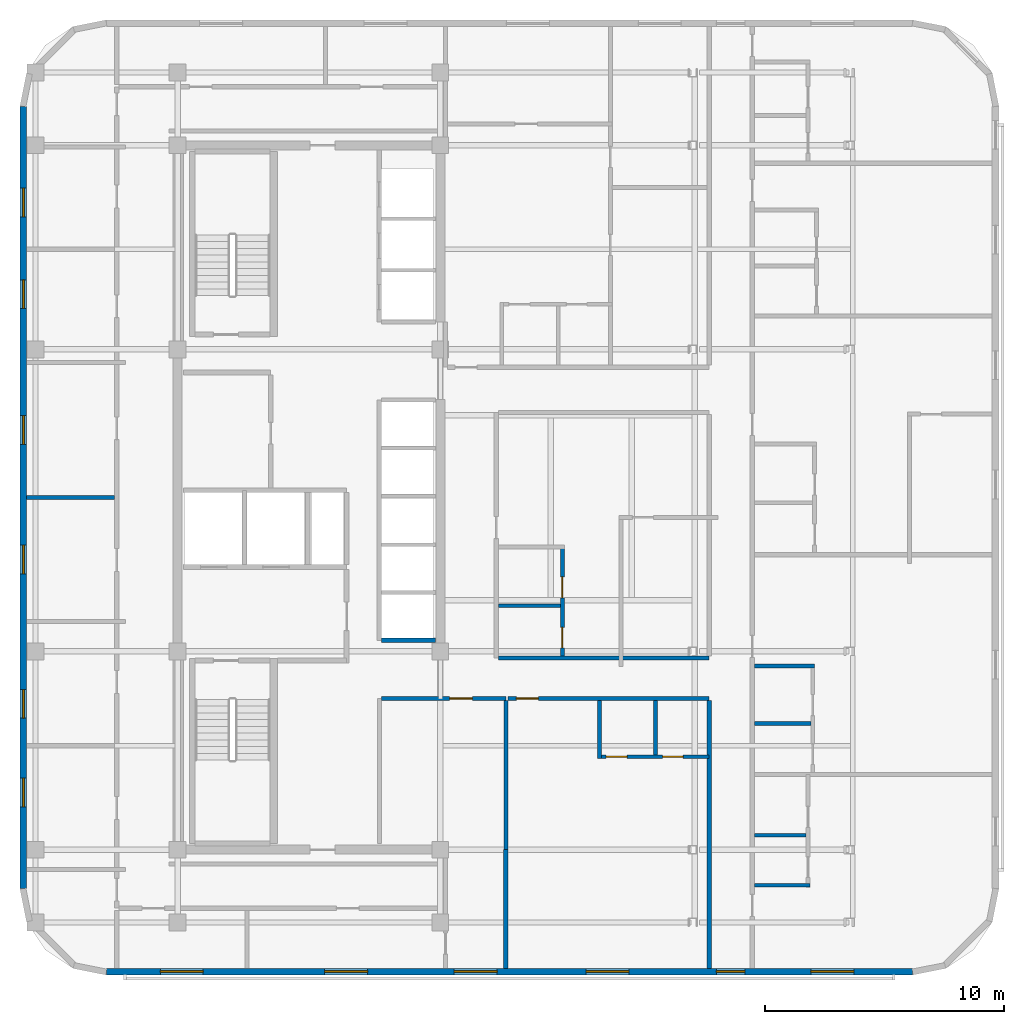
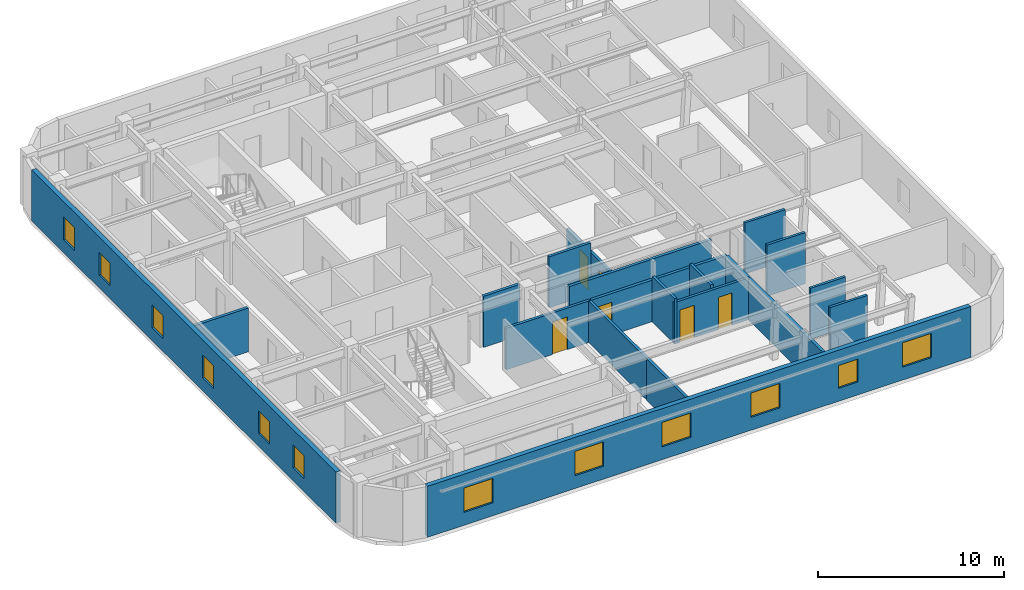
# One storey, part 3 of 10: 19 walls, 12 windows, 6 doors, 18 openings.
"""IFC4 building model written with IfcOpenShell, lengths in metres."""

from ifc_helpers import new_model, si_unit, direction, frame, frame_2d, origin, place, context, subcontext, project, spatial, rectangle, extrude, material, layer, layer_set, type_object, element, fill, save


model = new_model("IFC4")

# Units and contexts
model_context = context("Model", 3, precision=1e-05, world=origin(), true_north=direction((0.0, 1.0)))
body_context = subcontext(model_context, "Body", "Model", "MODEL_VIEW")
ifc_project = project(units=[si_unit("LENGTHUNIT", "METRE"), si_unit("AREAUNIT", "SQUARE_METRE"), si_unit("VOLUMEUNIT", "CUBIC_METRE"), si_unit("PLANEANGLEUNIT", "RADIAN"), si_unit("MASSUNIT", "GRAM", prefix="KILO")], contexts=[model_context])

# Site, building, storey
site_placement = place(None, origin())
site = spatial("IfcSite", under=ifc_project, at=site_placement, CompositionType="ELEMENT")
building_placement = place(site_placement, origin())
building = spatial("IfcBuilding", under=site, at=building_placement, Name="Ochreholt Gables", CompositionType="ELEMENT")
storey_placement = place(building_placement, frame((0.0, 0.0, 166.199951171875)))
storey = spatial("IfcBuildingStorey", under=building, at=storey_placement, Name="L43", CompositionType="ELEMENT", Elevation=166.199951171875)

# Wall, openings, windows
ifc_material_1 = material(Name="Precast concrete 40 MPa", Category="concrete")
ifc_layer_1 = layer(ifc_material_1, 0.280029296875, Name="Precast concrete 40 MPa")
ifc_layer_set_1 = layer_set([ifc_layer_1], Name="Precast concrete 40 MPa")
wall_type_1 = type_object("IfcWallType", Name="WALL-EXT-280", PredefinedType="SOLIDWALL", material=ifc_layer_set_1)
wall_1_placement = place(storey_placement, frame((21.219970703125, 4.139892578125, 0.0), z_axis=(0.0, 0.0, 1.0), x_axis=(1.0, 0.0, 0.0)))
wall_1 = element("IfcWall", 1, at=wall_1_placement, inside=storey, type_object=wall_type_1, Name="L43 South Exterior Wall", PredefinedType="SOLIDWALL", context=body_context, shape_type="SweptSolid", body=[
    extrude(rectangle(XDim=33.760009765625, YDim=0.280029296875, at=frame_2d((16.8798828125, 0.0))), origin(), (0.0, 0.0, 1.0), 3.360107421875),
])
opening_1_placement = place(wall_1_placement, frame((2.2548828125, 0.0, 0.85009765625)))
opening_1 = element("IfcOpeningElement", 2, at=opening_1_placement, cuts=wall_1, Name="Opening WN-1", PredefinedType="OPENING", context=body_context, shape_type="SweptSolid", body=[
    extrude(rectangle(XDim=1.800048828125, YDim=1.60009765625, at=frame_2d((0.89990234375, 0.800048828125))), frame((0.0, 0.14990234375, 0.0), z_axis=(0.0, -1.0, 0.0), x_axis=(1.0, 0.0, 0.0)), (0.0, 0.0, 1.0), 0.300048828125),
])
opening_2_placement = place(wall_1_placement, frame((9.139892578125, 0.0, 0.85009765625)))
opening_2 = element("IfcOpeningElement", 3, at=opening_2_placement, cuts=wall_1, Name="Opening WN-1", PredefinedType="OPENING", context=body_context, shape_type="SweptSolid", body=[
    extrude(rectangle(XDim=1.800048828125, YDim=1.60009765625, at=frame_2d((0.89990234375, 0.800048828125))), frame((0.0, 0.14990234375, 0.0), z_axis=(0.0, -1.0, 0.0), x_axis=(1.0, 0.0, 0.0)), (0.0, 0.0, 1.0), 0.300048828125),
])
opening_3_placement = place(wall_1_placement, frame((14.56494140625, 0.0, 0.85009765625)))
opening_3 = element("IfcOpeningElement", 4, at=opening_3_placement, cuts=wall_1, Name="Opening WN-1", PredefinedType="OPENING", context=body_context, shape_type="SweptSolid", body=[
    extrude(rectangle(XDim=1.800048828125, YDim=1.60009765625, at=frame_2d((0.89990234375, 0.800048828125))), frame((0.0, 0.14990234375, 0.0), z_axis=(0.0, -1.0, 0.0), x_axis=(1.0, 0.0, 0.0)), (0.0, 0.0, 1.0), 0.300048828125),
])
opening_4_placement = place(wall_1_placement, frame((20.087890625, 0.0, 0.85009765625)))
opening_4 = element("IfcOpeningElement", 5, at=opening_4_placement, cuts=wall_1, Name="Opening WN-1", PredefinedType="OPENING", context=body_context, shape_type="SweptSolid", body=[
    extrude(rectangle(XDim=1.800048828125, YDim=1.60009765625, at=frame_2d((0.89990234375, 0.800048828125))), frame((0.0, 0.14990234375, 0.0), z_axis=(0.0, -1.0, 0.0), x_axis=(1.0, 0.0, 0.0)), (0.0, 0.0, 1.0), 0.300048828125),
])
opening_5_placement = place(wall_1_placement, frame((25.5458984375, 0.0, 0.85009765625)))
opening_5 = element("IfcOpeningElement", 6, at=opening_5_placement, cuts=wall_1, Name="Opening WN-3", PredefinedType="OPENING", context=body_context, shape_type="SweptSolid", body=[
    extrude(rectangle(XDim=1.199951171875, YDim=1.5, at=frame_2d((0.60009765625, 0.75))), frame((0.0, 0.14990234375, 0.0), z_axis=(0.0, -1.0, 0.0), x_axis=(1.0, 0.0, 0.0)), (0.0, 0.0, 1.0), 0.300048828125),
])
opening_6_placement = place(wall_1_placement, frame((29.5029296875, 0.0, 0.85009765625)))
opening_6 = element("IfcOpeningElement", 7, at=opening_6_placement, cuts=wall_1, Name="Opening WN-1", PredefinedType="OPENING", context=body_context, shape_type="SweptSolid", body=[
    extrude(rectangle(XDim=1.800048828125, YDim=1.60009765625, at=frame_2d((0.89990234375, 0.800048828125))), frame((0.0, 0.14990234375, 0.0), z_axis=(0.0, -1.0, 0.0), x_axis=(1.0, 0.0, 0.0)), (0.0, 0.0, 1.0), 0.300048828125),
])
ifc_material_2 = material(Name="Triple-Glazed Thermally Broken Aluminium Window", Category="aluminium")
window_type_1 = type_object("IfcWindowType", Name="WIN-RES-1200", PartitioningType="SINGLE_PANEL", PredefinedType="WINDOW", material=ifc_material_2)
window_1_placement = place(opening_5_placement, origin())
window_1 = element("IfcWindow", 8, at=window_1_placement, inside=storey, type_object=window_type_1, Name="L43 Window W-EXT-S-L43-5", OverallHeight=1.5, OverallWidth=1.199951171875, PartitioningType="SINGLE_PANEL", PredefinedType="WINDOW", context=body_context, shape_type="SweptSolid", body=[
    extrude(rectangle(XDim=1.199951171875, YDim=1.5, at=frame_2d((0.60009765625, 0.75))), frame((0.0, 0.030029296875, 0.0), z_axis=(0.0, -1.0, 0.0), x_axis=(1.0, 0.0, 0.0)), (0.0, 0.0, 1.0), 0.06005859375),
])
fill(opening_5, window_1)
window_type_2 = type_object("IfcWindowType", Name="WIN-RES-1800", PartitioningType="SINGLE_PANEL", PredefinedType="WINDOW", material=ifc_material_2)
window_2_placement = place(opening_1_placement, origin())
window_2 = element("IfcWindow", 9, at=window_2_placement, inside=storey, type_object=window_type_2, Name="L43 Window W-EXT-S-L43-1", OverallHeight=1.60009765625, OverallWidth=1.800048828125, PartitioningType="SINGLE_PANEL", PredefinedType="WINDOW", context=body_context, shape_type="SweptSolid", body=[
    extrude(rectangle(XDim=1.800048828125, YDim=1.60009765625, at=frame_2d((0.89990234375, 0.800048828125))), frame((0.0, 0.030029296875, 0.0), z_axis=(0.0, -1.0, 0.0), x_axis=(1.0, 0.0, 0.0)), (0.0, 0.0, 1.0), 0.06005859375),
])
fill(opening_1, window_2)
window_3_placement = place(opening_2_placement, origin())
window_3 = element("IfcWindow", 10, at=window_3_placement, inside=storey, type_object=window_type_2, Name="L43 Window W-EXT-S-L43-2", OverallHeight=1.60009765625, OverallWidth=1.800048828125, PartitioningType="SINGLE_PANEL", PredefinedType="WINDOW", context=body_context, shape_type="SweptSolid", body=[
    extrude(rectangle(XDim=1.800048828125, YDim=1.60009765625, at=frame_2d((0.89990234375, 0.800048828125))), frame((0.0, 0.030029296875, 0.0), z_axis=(0.0, -1.0, 0.0), x_axis=(1.0, 0.0, 0.0)), (0.0, 0.0, 1.0), 0.06005859375),
])
fill(opening_2, window_3)
window_4_placement = place(opening_3_placement, origin())
window_4 = element("IfcWindow", 11, at=window_4_placement, inside=storey, type_object=window_type_2, Name="L43 Window W-EXT-S-L43-3", OverallHeight=1.60009765625, OverallWidth=1.800048828125, PartitioningType="SINGLE_PANEL", PredefinedType="WINDOW", context=body_context, shape_type="SweptSolid", body=[
    extrude(rectangle(XDim=1.800048828125, YDim=1.60009765625, at=frame_2d((0.89990234375, 0.800048828125))), frame((0.0, 0.030029296875, 0.0), z_axis=(0.0, -1.0, 0.0), x_axis=(1.0, 0.0, 0.0)), (0.0, 0.0, 1.0), 0.06005859375),
])
fill(opening_3, window_4)
window_5_placement = place(opening_4_placement, origin())
window_5 = element("IfcWindow", 12, at=window_5_placement, inside=storey, type_object=window_type_2, Name="L43 Window W-EXT-S-L43-4", OverallHeight=1.60009765625, OverallWidth=1.800048828125, PartitioningType="SINGLE_PANEL", PredefinedType="WINDOW", context=body_context, shape_type="SweptSolid", body=[
    extrude(rectangle(XDim=1.800048828125, YDim=1.60009765625, at=frame_2d((0.89990234375, 0.800048828125))), frame((0.0, 0.030029296875, 0.0), z_axis=(0.0, -1.0, 0.0), x_axis=(1.0, 0.0, 0.0)), (0.0, 0.0, 1.0), 0.06005859375),
])
fill(opening_4, window_5)
window_6_placement = place(opening_6_placement, origin())
window_6 = element("IfcWindow", 13, at=window_6_placement, inside=storey, type_object=window_type_2, Name="L43 Window W-EXT-S-L43-6", OverallHeight=1.60009765625, OverallWidth=1.800048828125, PartitioningType="SINGLE_PANEL", PredefinedType="WINDOW", context=body_context, shape_type="SweptSolid", body=[
    extrude(rectangle(XDim=1.800048828125, YDim=1.60009765625, at=frame_2d((0.89990234375, 0.800048828125))), frame((0.0, 0.030029296875, 0.0), z_axis=(0.0, -1.0, 0.0), x_axis=(1.0, 0.0, 0.0)), (0.0, 0.0, 1.0), 0.06005859375),
])
fill(opening_6, window_6)

wall_2_placement = place(storey_placement, frame((17.739990234375, 40.3798828125, 0.0), z_axis=(0.0, 0.0, 1.0), x_axis=(0.0, -1.0, 0.0)))
wall_2 = element("IfcWall", 14, at=wall_2_placement, inside=storey, type_object=wall_type_1, Name="L43 West Exterior Wall", PredefinedType="SOLIDWALL", context=body_context, shape_type="SweptSolid", body=[
    extrude(rectangle(XDim=32.759765625, YDim=0.280029296875, at=frame_2d((16.3798828125, 0.0))), origin(), (0.0, 0.0, 1.0), 3.360107421875),
])
opening_7_placement = place(wall_2_placement, frame((28.135009765625, 0.0, 0.85009765625)))
opening_7 = element("IfcOpeningElement", 15, at=opening_7_placement, cuts=wall_2, Name="Opening WN-3", PredefinedType="OPENING", context=body_context, shape_type="SweptSolid", body=[
    extrude(rectangle(XDim=1.199951171875, YDim=1.5, at=frame_2d((0.60009765625, 0.75))), frame((0.0, 0.14990234375, 0.0), z_axis=(0.0, -1.0, 0.0), x_axis=(1.0, 0.0, 0.0)), (0.0, 0.0, 1.0), 0.300048828125),
])
opening_8_placement = place(wall_2_placement, frame((24.425048828125, 0.0, 0.85009765625)))
opening_8 = element("IfcOpeningElement", 16, at=opening_8_placement, cuts=wall_2, Name="Opening WN-3", PredefinedType="OPENING", context=body_context, shape_type="SweptSolid", body=[
    extrude(rectangle(XDim=1.199951171875, YDim=1.5, at=frame_2d((0.60009765625, 0.75))), frame((0.0, 0.14990234375, 0.0), z_axis=(0.0, -1.0, 0.0), x_axis=(1.0, 0.0, 0.0)), (0.0, 0.0, 1.0), 0.300048828125),
])
opening_9_placement = place(wall_2_placement, frame((18.3798828125, 0.0, 0.85009765625)))
opening_9 = element("IfcOpeningElement", 17, at=opening_9_placement, cuts=wall_2, Name="Opening WN-3", PredefinedType="OPENING", context=body_context, shape_type="SweptSolid", body=[
    extrude(rectangle(XDim=1.199951171875, YDim=1.5, at=frame_2d((0.60009765625, 0.75))), frame((0.0, 0.14990234375, 0.0), z_axis=(0.0, -1.0, 0.0), x_axis=(1.0, 0.0, 0.0)), (0.0, 0.0, 1.0), 0.300048828125),
])
opening_10_placement = place(wall_2_placement, frame((12.955078125, 0.0, 0.85009765625)))
opening_10 = element("IfcOpeningElement", 18, at=opening_10_placement, cuts=wall_2, Name="Opening WN-3", PredefinedType="OPENING", context=body_context, shape_type="SweptSolid", body=[
    extrude(rectangle(XDim=1.199951171875, YDim=1.5, at=frame_2d((0.60009765625, 0.75))), frame((0.0, 0.14990234375, 0.0), z_axis=(0.0, -1.0, 0.0), x_axis=(1.0, 0.0, 0.0)), (0.0, 0.0, 1.0), 0.300048828125),
])
opening_11_placement = place(wall_2_placement, frame((7.260009765625, 0.0, 0.85009765625)))
opening_11 = element("IfcOpeningElement", 19, at=opening_11_placement, cuts=wall_2, Name="Opening WN-3", PredefinedType="OPENING", context=body_context, shape_type="SweptSolid", body=[
    extrude(rectangle(XDim=1.199951171875, YDim=1.5, at=frame_2d((0.60009765625, 0.75))), frame((0.0, 0.14990234375, 0.0), z_axis=(0.0, -1.0, 0.0), x_axis=(1.0, 0.0, 0.0)), (0.0, 0.0, 1.0), 0.300048828125),
])
opening_12_placement = place(wall_2_placement, frame((3.425048828125, 0.0, 0.85009765625)))
opening_12 = element("IfcOpeningElement", 20, at=opening_12_placement, cuts=wall_2, Name="Opening WN-3", PredefinedType="OPENING", context=body_context, shape_type="SweptSolid", body=[
    extrude(rectangle(XDim=1.199951171875, YDim=1.5, at=frame_2d((0.60009765625, 0.75))), frame((0.0, 0.14990234375, 0.0), z_axis=(0.0, -1.0, 0.0), x_axis=(1.0, 0.0, 0.0)), (0.0, 0.0, 1.0), 0.300048828125),
])
window_7_placement = place(opening_7_placement, origin())
window_7 = element("IfcWindow", 21, at=window_7_placement, inside=storey, type_object=window_type_1, Name="L43 Window W-EXT-W-L43-1", OverallHeight=1.5, OverallWidth=1.199951171875, PartitioningType="SINGLE_PANEL", PredefinedType="WINDOW", context=body_context, shape_type="SweptSolid", body=[
    extrude(rectangle(XDim=1.199951171875, YDim=1.5, at=frame_2d((0.60009765625, 0.75))), frame((0.0, 0.030029296875, 0.0), z_axis=(0.0, -1.0, 0.0), x_axis=(1.0, 0.0, 0.0)), (0.0, 0.0, 1.0), 0.06005859375),
])
fill(opening_7, window_7)
window_8_placement = place(opening_8_placement, origin())
window_8 = element("IfcWindow", 22, at=window_8_placement, inside=storey, type_object=window_type_1, Name="L43 Window W-EXT-W-L43-2", OverallHeight=1.5, OverallWidth=1.199951171875, PartitioningType="SINGLE_PANEL", PredefinedType="WINDOW", context=body_context, shape_type="SweptSolid", body=[
    extrude(rectangle(XDim=1.199951171875, YDim=1.5, at=frame_2d((0.60009765625, 0.75))), frame((0.0, 0.030029296875, 0.0), z_axis=(0.0, -1.0, 0.0), x_axis=(1.0, 0.0, 0.0)), (0.0, 0.0, 1.0), 0.06005859375),
])
fill(opening_8, window_8)
window_9_placement = place(opening_9_placement, origin())
window_9 = element("IfcWindow", 23, at=window_9_placement, inside=storey, type_object=window_type_1, Name="L43 Window W-EXT-W-L43-3", OverallHeight=1.5, OverallWidth=1.199951171875, PartitioningType="SINGLE_PANEL", PredefinedType="WINDOW", context=body_context, shape_type="SweptSolid", body=[
    extrude(rectangle(XDim=1.199951171875, YDim=1.5, at=frame_2d((0.60009765625, 0.75))), frame((0.0, 0.030029296875, 0.0), z_axis=(0.0, -1.0, 0.0), x_axis=(1.0, 0.0, 0.0)), (0.0, 0.0, 1.0), 0.06005859375),
])
fill(opening_9, window_9)
window_10_placement = place(opening_10_placement, origin())
window_10 = element("IfcWindow", 24, at=window_10_placement, inside=storey, type_object=window_type_1, Name="L43 Window W-EXT-W-L43-4", OverallHeight=1.5, OverallWidth=1.199951171875, PartitioningType="SINGLE_PANEL", PredefinedType="WINDOW", context=body_context, shape_type="SweptSolid", body=[
    extrude(rectangle(XDim=1.199951171875, YDim=1.5, at=frame_2d((0.60009765625, 0.75))), frame((0.0, 0.030029296875, 0.0), z_axis=(0.0, -1.0, 0.0), x_axis=(1.0, 0.0, 0.0)), (0.0, 0.0, 1.0), 0.06005859375),
])
fill(opening_10, window_10)
window_11_placement = place(opening_11_placement, origin())
window_11 = element("IfcWindow", 25, at=window_11_placement, inside=storey, type_object=window_type_1, Name="L43 Window W-EXT-W-L43-5", OverallHeight=1.5, OverallWidth=1.199951171875, PartitioningType="SINGLE_PANEL", PredefinedType="WINDOW", context=body_context, shape_type="SweptSolid", body=[
    extrude(rectangle(XDim=1.199951171875, YDim=1.5, at=frame_2d((0.60009765625, 0.75))), frame((0.0, 0.030029296875, 0.0), z_axis=(0.0, -1.0, 0.0), x_axis=(1.0, 0.0, 0.0)), (0.0, 0.0, 1.0), 0.06005859375),
])
fill(opening_11, window_11)
window_12_placement = place(opening_12_placement, origin())
window_12 = element("IfcWindow", 26, at=window_12_placement, inside=storey, type_object=window_type_1, Name="L43 Window W-EXT-W-L43-6", OverallHeight=1.5, OverallWidth=1.199951171875, PartitioningType="SINGLE_PANEL", PredefinedType="WINDOW", context=body_context, shape_type="SweptSolid", body=[
    extrude(rectangle(XDim=1.199951171875, YDim=1.5, at=frame_2d((0.60009765625, 0.75))), frame((0.0, 0.030029296875, 0.0), z_axis=(0.0, -1.0, 0.0), x_axis=(1.0, 0.0, 0.0)), (0.0, 0.0, 1.0), 0.06005859375),
])
fill(opening_12, window_12)

# Wall, opening, door
ifc_material_3 = material(Name="Fire-Rated Gypsum Acoustic Partition", Category="gypsum")
ifc_layer_2 = layer(ifc_material_3, 0.179931640625, Name="Fire-Rated Gypsum Acoustic Partition")
ifc_layer_set_2 = layer_set([ifc_layer_2], Name="Fire-Rated Gypsum Acoustic Partition")
wall_type_2 = type_object("IfcWallType", Name="WALL-INT-CR180", PredefinedType="STANDARD", material=ifc_layer_set_2)
wall_3_placement = place(storey_placement, frame((38.032470703125, 15.580078125, 0.0), z_axis=(0.0, 0.0, 1.0), x_axis=(1.0, 0.0, 0.0)))
wall_3 = element("IfcWall", 27, at=wall_3_placement, inside=storey, type_object=wall_type_2, Name="L43 Interior Wall WI-C2SS1-L43", PredefinedType="STANDARD", context=body_context, shape_type="SweptSolid", body=[
    extrude(rectangle(XDim=8.43359375, YDim=0.179931640625, at=frame_2d((4.216796875, 0.0))), origin(), (0.0, 0.0, 1.0), 2.72998046875),
])
opening_13_placement = place(wall_3_placement, frame((0.357421875, 0.0, 0.0)))
opening_13 = element("IfcOpeningElement", 28, at=opening_13_placement, cuts=wall_3, Name="Opening D-UN1", PredefinedType="OPENING", context=body_context, shape_type="SweptSolid", body=[
    extrude(rectangle(XDim=0.919921875, YDim=2.14990234375, at=frame_2d((0.4599609375, 1.074951171875))), frame((0.0, 0.099853515625, 0.0), z_axis=(0.0, -1.0, 0.0), x_axis=(1.0, 0.0, 0.0)), (0.0, 0.0, 1.0), 0.199951171875),
])
ifc_material_4 = material(Name="Engineered Oak Timber", Category="wood")
door_type_1 = type_object("IfcDoorType", Name="DR-INT-UNT920", OperationType="NOTDEFINED", PredefinedType="DOOR", material=ifc_material_4)
door_1_placement = place(opening_13_placement, origin())
door_1 = element("IfcDoor", 29, at=door_1_placement, inside=storey, type_object=door_type_1, Name="L43 Door D-U-L43S1-ENT", OperationType="SINGLE_SWING_RIGHT", OverallHeight=2.14990234375, OverallWidth=0.919921875, PredefinedType="DOOR", context=body_context, shape_type="SweptSolid", body=[
    extrude(rectangle(XDim=0.919921875, YDim=2.14990234375, at=frame_2d((0.4599609375, 1.074951171875))), frame((0.0, 0.02490234375, 0.0), z_axis=(0.0, -1.0, 0.0), x_axis=(1.0, 0.0, 0.0)), (0.0, 0.0, 1.0), 0.050048828125),
])
fill(opening_13, door_1)

# Walls
wall_4_placement = place(storey_placement, frame((37.639892578125, 17.280029296875, 0.0), z_axis=(0.0, 0.0, 1.0), x_axis=(1.0, 0.0, 0.0)))
element("IfcWall", 30, at=wall_4_placement, inside=storey, type_object=wall_type_2, Name="L43 Interior Wall WI-C2SS2-L43", PredefinedType="STANDARD", context=body_context, shape_type="SweptSolid", body=[
    extrude(rectangle(XDim=8.826171875, YDim=0.179931640625, at=frame_2d((4.4130859375, 0.0))), origin(), (0.0, 0.0, 1.0), 2.72998046875),
])
wall_5_placement = place(storey_placement, frame((46.466064453125, 4.280029296875, 0.0), z_axis=(0.0, 0.0, 1.0), x_axis=(0.0, 1.0, 0.0)))
element("IfcWall", 31, at=wall_5_placement, inside=storey, type_object=wall_type_2, Name="L43 Interior Wall WI-C2FEGW1-L43", PredefinedType="STANDARD", context=body_context, shape_type="SweptSolid", body=[
    extrude(rectangle(XDim=11.2099609375, YDim=0.179931640625, at=frame_2d((5.60498046875, 0.0))), origin(), (0.0, 0.0, 1.0), 2.72998046875),
])
ifc_material_5 = material(Name="Double-Stud Acoustic Demising Wall", Category="gypsum")
ifc_layer_3 = layer(ifc_material_5, 0.179931640625, Name="Double-Stud Acoustic Demising Wall")
ifc_layer_set_3 = layer_set([ifc_layer_3], Name="Double-Stud Acoustic Demising Wall")
wall_type_3 = type_object("IfcWallType", Name="WALL-INT-DM180", PredefinedType="PARTITIONING", material=ifc_layer_set_3)
wall_6_placement = place(storey_placement, frame((37.949951171875, 4.280029296875, 0.0), z_axis=(0.0, 0.0, 1.0), x_axis=(0.0, 1.0, 0.0)))
element("IfcWall", 32, at=wall_6_placement, inside=storey, type_object=wall_type_3, Name="L43 Interior Wall WI-C2SEW2-L43", PredefinedType="PARTITIONING", context=body_context, shape_type="SweptSolid", body=[
    extrude(rectangle(XDim=4.969970703125, YDim=0.179931640625, at=frame_2d((2.48486328125, 0.0))), origin(), (0.0, 0.0, 1.0), 2.72998046875),
])
wall_7_placement = place(storey_placement, frame((17.8798828125, 24.0, 0.0), z_axis=(0.0, 0.0, 1.0), x_axis=(1.0, 0.0, 0.0)))
element("IfcWall", 33, at=wall_7_placement, inside=storey, type_object=wall_type_3, Name="L43 Interior Wall WI-C2UDW3-L43", PredefinedType="PARTITIONING", context=body_context, shape_type="SweptSolid", body=[
    extrude(rectangle(XDim=3.68017578125, YDim=0.179931640625, at=frame_2d((1.840087890625, 0.0))), origin(), (0.0, 0.0, 1.0), 2.879150390625),
])

# Wall, openings, doors
ifc_material_6 = material(Name="Moisture-Resistant Plumbing Chase Wall", Category="gypsum")
ifc_layer_4 = layer(ifc_material_6, 0.159912109375, Name="Moisture-Resistant Plumbing Chase Wall")
ifc_layer_set_4 = layer_set([ifc_layer_4], Name="Moisture-Resistant Plumbing Chase Wall")
wall_type_4 = type_object("IfcWallType", Name="WALL-INT-PL160", PredefinedType="PLUMBINGWALL", material=ifc_layer_set_4)
wall_8_placement = place(storey_placement, frame((41.7958984375, 13.139892578125, 0.0), z_axis=(0.0, 0.0, 1.0), x_axis=(1.0, 0.0, 0.0)))
wall_8 = element("IfcWall", 34, at=wall_8_placement, inside=storey, type_object=wall_type_4, Name="L43 Interior Wall WU-L43S1-WY", PredefinedType="PLUMBINGWALL", context=body_context, shape_type="SweptSolid", body=[
    extrude(rectangle(XDim=4.670166015625, YDim=0.159912109375, at=frame_2d((2.3349609375, 0.0))), origin(), (0.0, 0.0, 1.0), 2.72998046875),
])
opening_14_placement = place(wall_8_placement, frame((0.35009765625, 0.0, 0.0)))
opening_14 = element("IfcOpeningElement", 35, at=opening_14_placement, cuts=wall_8, Name="Opening D-GN2", PredefinedType="OPENING", context=body_context, shape_type="SweptSolid", body=[
    extrude(rectangle(XDim=0.8798828125, YDim=2.1201171875, at=frame_2d((0.43994140625, 1.06005859375))), frame((0.0, 0.08984375, 0.0), z_axis=(0.0, -1.0, 0.0), x_axis=(1.0, 0.0, 0.0)), (0.0, 0.0, 1.0), 0.179931640625),
])
opening_15_placement = place(wall_8_placement, frame((2.719970703125, 0.0, 0.0)))
opening_15 = element("IfcOpeningElement", 36, at=opening_15_placement, cuts=wall_8, Name="Opening D-BT1", PredefinedType="OPENING", context=body_context, shape_type="SweptSolid", body=[
    extrude(rectangle(XDim=0.860107421875, YDim=2.1201171875, at=frame_2d((0.43017578125, 1.06005859375))), frame((0.0, 0.08984375, 0.0), z_axis=(0.0, -1.0, 0.0), x_axis=(1.0, 0.0, 0.0)), (0.0, 0.0, 1.0), 0.179931640625),
])
door_type_2 = type_object("IfcDoorType", Name="DR-INT-BTH860", OperationType="NOTDEFINED", PredefinedType="DOOR", material=ifc_material_4)
door_2_placement = place(opening_15_placement, origin())
door_2 = element("IfcDoor", 37, at=door_2_placement, inside=storey, type_object=door_type_2, Name="L43 Door D-U-L43S1-BTH", OperationType="SINGLE_SWING_RIGHT", OverallHeight=2.1201171875, OverallWidth=0.860107421875, PredefinedType="DOOR", context=body_context, shape_type="SweptSolid", body=[
    extrude(rectangle(XDim=0.860107421875, YDim=2.1201171875, at=frame_2d((0.43017578125, 1.06005859375))), frame((0.0, 0.02490234375, 0.0), z_axis=(0.0, -1.0, 0.0), x_axis=(1.0, 0.0, 0.0)), (0.0, 0.0, 1.0), 0.050048828125),
])
fill(opening_15, door_2)
door_type_3 = type_object("IfcDoorType", Name="DR-INT-GEN880", OperationType="NOTDEFINED", PredefinedType="DOOR", material=ifc_material_4)
door_3_placement = place(opening_14_placement, origin())
door_3 = element("IfcDoor", 38, at=door_3_placement, inside=storey, type_object=door_type_3, Name="L43 Door D-U-L43S1-KIT", OperationType="SINGLE_SWING_LEFT", OverallHeight=2.1201171875, OverallWidth=0.8798828125, PredefinedType="DOOR", context=body_context, shape_type="SweptSolid", body=[
    extrude(rectangle(XDim=0.8798828125, YDim=2.1201171875, at=frame_2d((0.43994140625, 1.06005859375))), frame((0.0, 0.02490234375, 0.0), z_axis=(0.0, -1.0, 0.0), x_axis=(1.0, 0.0, 0.0)), (0.0, 0.0, 1.0), 0.050048828125),
])
fill(opening_14, door_3)

# Walls
wall_9_placement = place(storey_placement, frame((41.8759765625, 13.06005859375, 0.0), z_axis=(0.0, 0.0, 1.0), x_axis=(0.0, 1.0, 0.0)))
element("IfcWall", 39, at=wall_9_placement, inside=storey, type_object=wall_type_4, Name="L43 Interior Wall WU-L43S1-FY", PredefinedType="PLUMBINGWALL", context=body_context, shape_type="SweptSolid", body=[
    extrude(rectangle(XDim=2.429931640625, YDim=0.159912109375, at=frame_2d((1.21484375, 0.0))), origin(), (0.0, 0.0, 1.0), 2.984130859375),
])
wall_10_placement = place(storey_placement, frame((44.216064453125, 13.219970703125, 0.0), z_axis=(0.0, 0.0, 1.0), x_axis=(0.0, 1.0, 0.0)))
element("IfcWall", 40, at=wall_10_placement, inside=storey, type_object=wall_type_4, Name="L43 Interior Wall WU-L43S1-WK", PredefinedType="PLUMBINGWALL", context=body_context, shape_type="SweptSolid", body=[
    extrude(rectangle(XDim=2.27001953125, YDim=0.159912109375, at=frame_2d((1.135009765625, 0.0))), origin(), (0.0, 0.0, 1.0), 2.984130859375),
])

# Wall, openings, doors
wall_11_placement = place(storey_placement, frame((40.318115234375, 17.3701171875, 0.0), z_axis=(0.0, 0.0, 1.0), x_axis=(0.0, 1.0, 0.0)))
wall_11 = element("IfcWall", 41, at=wall_11_placement, inside=storey, type_object=wall_type_4, Name="L43 Interior Wall WU-L43M1-WX", PredefinedType="PLUMBINGWALL", context=body_context, shape_type="SweptSolid", body=[
    extrude(rectangle(XDim=4.639892578125, YDim=0.159912109375, at=frame_2d((2.31982421875, 0.0))), origin(), (0.0, 0.0, 1.0), 2.72998046875),
])
opening_16_placement = place(wall_11_placement, frame((0.330078125, 0.0, 0.0)))
opening_16 = element("IfcOpeningElement", 42, at=opening_16_placement, cuts=wall_11, Name="Opening D-BT1", PredefinedType="OPENING", context=body_context, shape_type="SweptSolid", body=[
    extrude(rectangle(XDim=0.860107421875, YDim=2.1201171875, at=frame_2d((0.43017578125, 1.06005859375))), frame((0.0, 0.08984375, 0.0), z_axis=(0.0, -1.0, 0.0), x_axis=(1.0, 0.0, 0.0)), (0.0, 0.0, 1.0), 0.179931640625),
])
opening_17_placement = place(wall_11_placement, frame((2.423095703125, 0.0, 0.0)))
opening_17 = element("IfcOpeningElement", 43, at=opening_17_placement, cuts=wall_11, Name="Opening D-GN2", PredefinedType="OPENING", context=body_context, shape_type="SweptSolid", body=[
    extrude(rectangle(XDim=0.8798828125, YDim=2.1201171875, at=frame_2d((0.43994140625, 1.06005859375))), frame((0.0, 0.08984375, 0.0), z_axis=(0.0, -1.0, 0.0), x_axis=(1.0, 0.0, 0.0)), (0.0, 0.0, 1.0), 0.179931640625),
])
door_4_placement = place(opening_16_placement, origin())
door_4 = element("IfcDoor", 44, at=door_4_placement, inside=storey, type_object=door_type_2, Name="L43 Door D-U-L43M1-BTH", OperationType="SINGLE_SWING_LEFT", OverallHeight=2.1201171875, OverallWidth=0.860107421875, PredefinedType="DOOR", context=body_context, shape_type="SweptSolid", body=[
    extrude(rectangle(XDim=0.860107421875, YDim=2.1201171875, at=frame_2d((0.43017578125, 1.06005859375))), frame((0.0, 0.02490234375, 0.0), z_axis=(0.0, -1.0, 0.0), x_axis=(1.0, 0.0, 0.0)), (0.0, 0.0, 1.0), 0.050048828125),
])
fill(opening_16, door_4)
door_5_placement = place(opening_17_placement, origin())
door_5 = element("IfcDoor", 45, at=door_5_placement, inside=storey, type_object=door_type_3, Name="L43 Door D-U-L43M1-KIT", OperationType="SINGLE_SWING_RIGHT", OverallHeight=2.1201171875, OverallWidth=0.8798828125, PredefinedType="DOOR", context=body_context, shape_type="SweptSolid", body=[
    extrude(rectangle(XDim=0.8798828125, YDim=2.1201171875, at=frame_2d((0.43994140625, 1.06005859375))), frame((0.0, 0.02490234375, 0.0), z_axis=(0.0, -1.0, 0.0), x_axis=(1.0, 0.0, 0.0)), (0.0, 0.0, 1.0), 0.050048828125),
])
fill(opening_17, door_5)

# Walls
wall_12_placement = place(storey_placement, frame((37.639892578125, 19.462890625, 0.0), z_axis=(0.0, 0.0, 1.0), x_axis=(1.0, 0.0, 0.0)))
element("IfcWall", 46, at=wall_12_placement, inside=storey, type_object=wall_type_4, Name="L43 Interior Wall WU-L43M1-WM", PredefinedType="PLUMBINGWALL", context=body_context, shape_type="SweptSolid", body=[
    extrude(rectangle(XDim=2.59814453125, YDim=0.159912109375, at=frame_2d((1.299072265625, 0.0))), origin(), (0.0, 0.0, 1.0), 3.360107421875),
])
wall_13_placement = place(storey_placement, frame((48.35595703125, 7.760009765625, 0.0), z_axis=(0.0, 0.0, 1.0), x_axis=(1.0, 0.0, 0.0)))
element("IfcWall", 47, at=wall_13_placement, inside=storey, type_object=wall_type_4, Name="L43 Interior Wall WU-L43FE1-WYS", PredefinedType="PLUMBINGWALL", context=body_context, shape_type="SweptSolid", body=[
    extrude(rectangle(XDim=2.330078125, YDim=0.159912109375, at=frame_2d((1.1650390625, 0.0))), origin(), (0.0, 0.0, 1.0), 3.360107421875),
])
wall_14_placement = place(storey_placement, frame((48.35595703125, 9.85302734375, 0.0), z_axis=(0.0, 0.0, 1.0), x_axis=(1.0, 0.0, 0.0)))
element("IfcWall", 48, at=wall_14_placement, inside=storey, type_object=wall_type_4, Name="L43 Interior Wall WU-L43FE1-WM", PredefinedType="PLUMBINGWALL", context=body_context, shape_type="SweptSolid", body=[
    extrude(rectangle(XDim=2.169921875, YDim=0.159912109375, at=frame_2d((1.0849609375, 0.0))), origin(), (0.0, 0.0, 1.0), 3.360107421875),
])
wall_15_placement = place(storey_placement, frame((48.35595703125, 16.93994140625, 0.0), z_axis=(0.0, 0.0, 1.0), x_axis=(1.0, 0.0, 0.0)))
element("IfcWall", 49, at=wall_15_placement, inside=storey, type_object=wall_type_4, Name="L43 Interior Wall WU-L43FE2-WYN", PredefinedType="PLUMBINGWALL", context=body_context, shape_type="SweptSolid", body=[
    extrude(rectangle(XDim=2.530029296875, YDim=0.159912109375, at=frame_2d((1.26513671875, 0.0))), origin(), (0.0, 0.0, 1.0), 3.360107421875),
])
wall_16_placement = place(storey_placement, frame((48.35595703125, 14.537109375, 0.0), z_axis=(0.0, 0.0, 1.0), x_axis=(1.0, 0.0, 0.0)))
element("IfcWall", 50, at=wall_16_placement, inside=storey, type_object=wall_type_4, Name="L43 Interior Wall WU-L43FE2-WM", PredefinedType="PLUMBINGWALL", context=body_context, shape_type="SweptSolid", body=[
    extrude(rectangle(XDim=2.3701171875, YDim=0.159912109375, at=frame_2d((1.18505859375, 0.0))), origin(), (0.0, 0.0, 1.0), 3.360107421875),
])

# Wall, opening, door
ifc_material_7 = material(Name="Gypsum Acoustic Stud Partition", Category="gypsum")
ifc_layer_5 = layer(ifc_material_7, 0.1650390625, Name="Gypsum Acoustic Stud Partition")
ifc_layer_set_5 = layer_set([ifc_layer_5], Name="Gypsum Acoustic Stud Partition")
wall_type_5 = type_object("IfcWallType", Name="WALL-INT-PT165", PredefinedType="PARTITIONING", material=ifc_layer_set_5)
wall_17_placement = place(storey_placement, frame((32.732421875, 15.580078125, 0.0), z_axis=(0.0, 0.0, 1.0), x_axis=(1.0, 0.0, 0.0)))
wall_17 = element("IfcWall", 51, at=wall_17_placement, inside=storey, type_object=wall_type_5, Name="L43 Interior Wall WI-RCL-N-L43", PredefinedType="PARTITIONING", context=body_context, shape_type="SweptSolid", body=[
    extrude(rectangle(XDim=5.217529296875, YDim=0.1650390625, at=frame_2d((2.60888671875, 0.0))), origin(), (0.0, 0.0, 1.0), 2.72998046875),
])
opening_18_placement = place(wall_17_placement, frame((2.867431640625, 0.0, 0.0)))
opening_18 = element("IfcOpeningElement", 52, at=opening_18_placement, cuts=wall_17, Name="Opening D-GN1", PredefinedType="OPENING", context=body_context, shape_type="SweptSolid", body=[
    extrude(rectangle(XDim=0.949951171875, YDim=2.14990234375, at=frame_2d((0.47509765625, 1.074951171875))), frame((0.0, 0.092529296875, 0.0), z_axis=(0.0, -1.0, 0.0), x_axis=(1.0, 0.0, 0.0)), (0.0, 0.0, 1.0), 0.18505859375),
])
door_type_4 = type_object("IfcDoorType", Name="DR-INT-GEN950", OperationType="NOTDEFINED", PredefinedType="DOOR", material=ifc_material_4)
door_6_placement = place(opening_18_placement, origin())
door_6 = element("IfcDoor", 53, at=door_6_placement, inside=storey, type_object=door_type_4, Name="L43 Door D-RCL-L43", OperationType="SINGLE_SWING_LEFT", OverallHeight=2.14990234375, OverallWidth=0.949951171875, PredefinedType="DOOR", context=body_context, shape_type="SweptSolid", body=[
    extrude(rectangle(XDim=0.949951171875, YDim=2.14990234375, at=frame_2d((0.47509765625, 1.074951171875))), frame((0.0, 0.02490234375, 0.0), z_axis=(0.0, -1.0, 0.0), x_axis=(1.0, 0.0, 0.0)), (0.0, 0.0, 1.0), 0.050048828125),
])
fill(opening_18, door_6)

# Walls
wall_18_placement = place(storey_placement, frame((37.949951171875, 9.25, 0.0), z_axis=(0.0, 0.0, 1.0), x_axis=(0.0, 1.0, 0.0)))
element("IfcWall", 54, at=wall_18_placement, inside=storey, type_object=wall_type_5, Name="L43 Interior Wall WI-RCL-E-L43", PredefinedType="PARTITIONING", context=body_context, shape_type="SweptSolid", body=[
    extrude(rectangle(XDim=6.24755859375, YDim=0.1650390625, at=frame_2d((3.123779296875, 0.0))), origin(), (0.0, 0.0, 1.0), 2.72998046875),
])
ifc_material_8 = material(Name="Gypsum Shaftliner and Steel Stud", Category="steel")
ifc_layer_6 = layer(ifc_material_8, 0.179931640625, Name="Gypsum Shaftliner and Steel Stud")
ifc_layer_set_6 = layer_set([ifc_layer_6], Name="Gypsum Shaftliner and Steel Stud")
wall_type_6 = type_object("IfcWallType", Name="WALL-INT-SH180", PredefinedType="STANDARD", material=ifc_layer_set_6)
wall_19_placement = place(storey_placement, frame((32.739990234375, 18.02001953125, 0.0), z_axis=(0.0, 0.0, 1.0), x_axis=(1.0, 0.0, 0.0)))
element("IfcWall", 55, at=wall_19_placement, inside=storey, type_object=wall_type_6, Name="L43 Interior Wall WI-LFHE-S-L43", PredefinedType="STANDARD", context=body_context, shape_type="SweptSolid", body=[
    extrude(rectangle(XDim=2.260009765625, YDim=0.179931640625, at=frame_2d((1.1298828125, 0.0))), origin(), (0.0, 0.0, 1.0), 3.360107421875),
])

save(model, "model.ifc")
